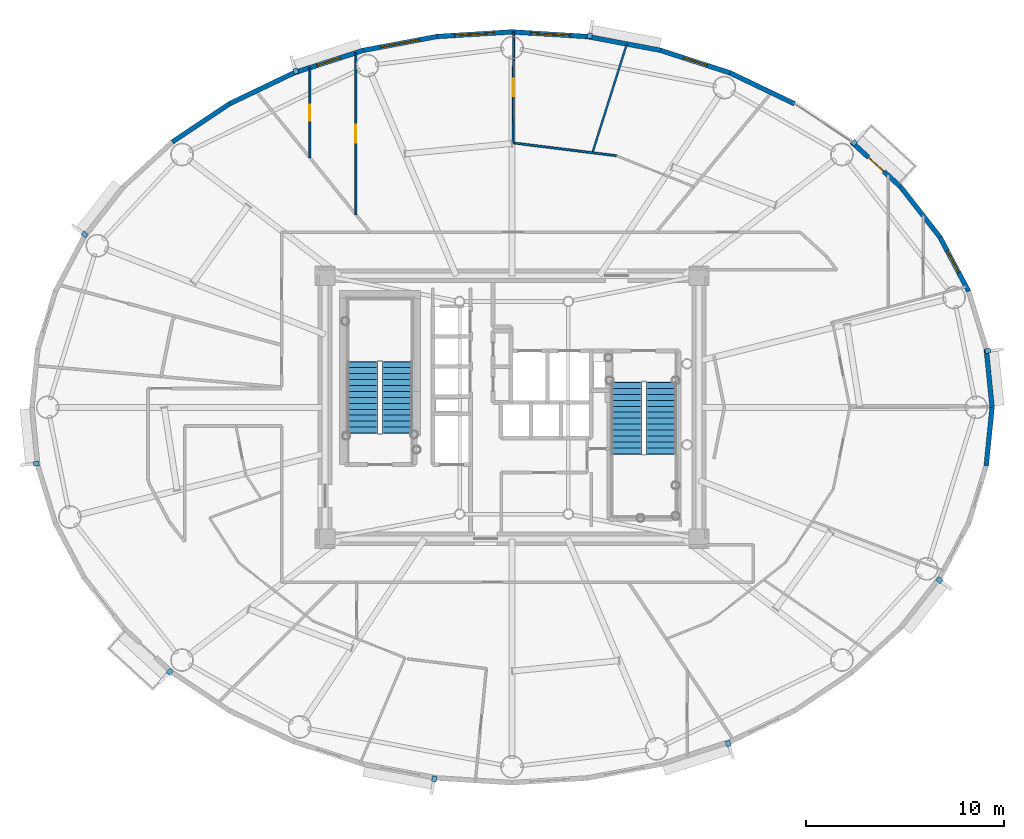
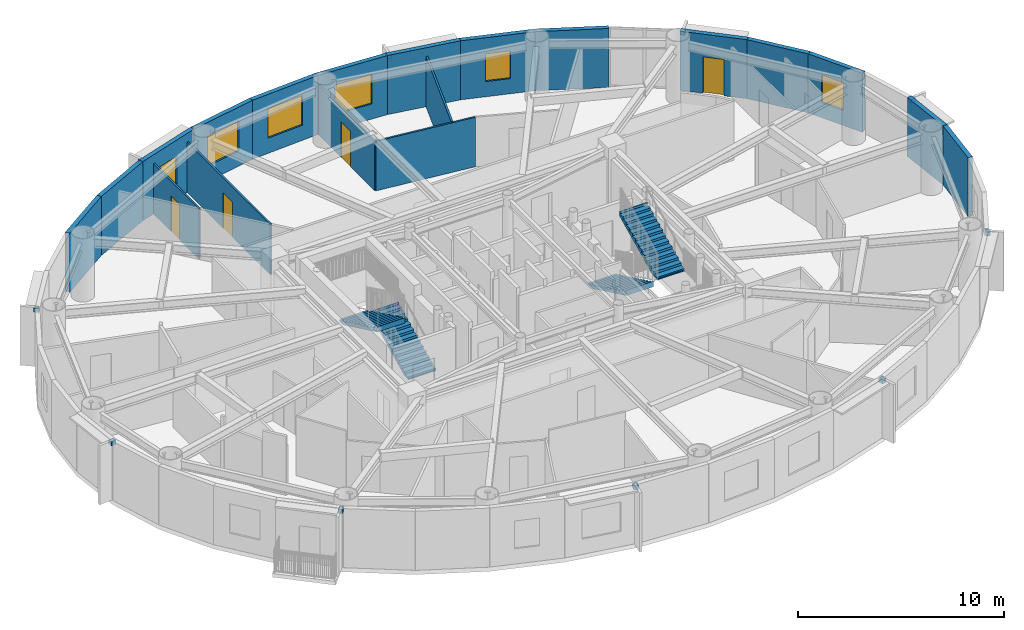
# One storey, part 12 of 19: 19 walls, 10 discrete accessories, 6 windows, 4 doors, 4 stair flights, 10 openings, 2 elements without a shape of their own.
"""IFC4 building model written with IfcOpenShell, lengths in metres."""

from ifc_helpers import new_model, si_unit, direction, frame, frame_2d, origin, origin_2d, place, context, subcontext, project, spatial, polyline, rectangle, outline, extrude, source, transform, mapped, material, layer, layer_set, type_object, element, fill, aggregate, save


model = new_model("IFC4")

# Units and contexts
model_context = context("Model", 3, precision=1e-05, world=origin(), true_north=direction((0.0, 1.0)))
body_context = subcontext(model_context, "Body", "Model", "MODEL_VIEW")
ifc_project = project(units=[si_unit("LENGTHUNIT", "METRE"), si_unit("AREAUNIT", "SQUARE_METRE"), si_unit("VOLUMEUNIT", "CUBIC_METRE"), si_unit("PLANEANGLEUNIT", "RADIAN"), si_unit("MASSUNIT", "GRAM", prefix="KILO")], contexts=[model_context])

# Site, building, storey
site_placement = place(None, origin())
site = spatial("IfcSite", under=ifc_project, at=site_placement, CompositionType="ELEMENT")
building_placement = place(site_placement, origin())
building = spatial("IfcBuilding", under=site, at=building_placement, Name="Linh Dai School and Residence Tower", CompositionType="ELEMENT")
storey_placement = place(building_placement, frame((0.0, 0.0, 247.800048828125)))
storey = spatial("IfcBuildingStorey", under=building, at=storey_placement, Name="L61", CompositionType="ELEMENT", Elevation=247.800048828125)

# Wall
ifc_material_1 = material(Name="Precast Concrete B45 (C35/45)", Category="concrete")
ifc_layer_1 = layer(ifc_material_1, 0.239990234375)
ifc_layer_set_1 = layer_set([ifc_layer_1], Name="Precast Concrete B45 (C35/45)")
wall_type_1 = type_object("IfcWallType", Name="EW-TC-240", PredefinedType="SOLIDWALL", material=ifc_layer_set_1)
wall_1_placement = place(storey_placement, frame((59.97705078125, 29.9638671875, 0.0), z_axis=(0.0, 0.0, 1.0), x_axis=(0.099990595253, -0.994988382274, 0.0)))
element("IfcWall", 1, at=wall_1_placement, inside=storey, type_object=wall_type_1, Name="L61 Terracotta Exterior Wall 01", PredefinedType="SOLIDWALL", context=body_context, shape_type="SweptSolid", body=[
    extrude(rectangle(XDim=2.978759765625, YDim=0.239990234375, at=frame_2d((1.4892578125, 0.0))), origin(), (0.0, 0.0, 1.0), 3.5),
])

# Wall, opening, window
wall_2_placement = place(storey_placement, frame((57.6357421875, 35.605224609375, 0.0), z_axis=(0.0, 0.0, 1.0), x_axis=(0.46766049993, -0.883908172157, 0.0)))
wall_2 = element("IfcWall", 2, at=wall_2_placement, inside=storey, type_object=wall_type_1, Name="L61 Terracotta Exterior Wall 03", PredefinedType="SOLIDWALL", context=body_context, shape_type="SweptSolid", body=[
    extrude(rectangle(XDim=3.1103515625, YDim=0.239990234375, at=frame_2d((1.55517578125, 0.0))), origin(), (0.0, 0.0, 1.0), 3.5),
])
opening_1_placement = place(wall_2_placement, frame((0.781982421875, 0.0, 0.89990234375)))
opening_1 = element("IfcOpeningElement", 3, at=opening_1_placement, cuts=wall_2, Name="Opening W3", PredefinedType="OPENING", context=body_context, shape_type="SweptSolid", body=[
    extrude(rectangle(XDim=1.25, YDim=1.64990234375, at=origin_2d()), frame((0.625, 0.1298828125, 0.824951171875), z_axis=(0.0, -1.0, 0.0), x_axis=(1.0, 0.0, 0.0)), (0.0, 0.0, 1.0), 0.260009765625),
])
ifc_material_2 = material(Name="Double Low-E Insulated Glazing", Category="glass")
window_type_1 = type_object("IfcWindowType", Name="WN-RES-1250x1650", PartitioningType="SINGLE_PANEL", PredefinedType="WINDOW", material=ifc_material_2)
shared_shape_1 = source(origin(), body_context, "Body", "SweptSolid", [
    extrude(rectangle(XDim=1.25, YDim=1.64990234375, at=origin_2d()), frame((0.625, 0.030029296875, 0.824951171875), z_axis=(0.0, -1.0, 0.0), x_axis=(1.0, 0.0, 0.0)), (0.0, 0.0, 1.0), 0.06005859375),
])
window_1_placement = place(opening_1_placement, origin())
window_1 = element("IfcWindow", 4, at=window_1_placement, inside=storey, type_object=window_type_1, Name="L61 Exterior Window 03.1", OverallHeight=1.64990234375, OverallWidth=1.25, PartitioningType="SINGLE_PANEL", PredefinedType="WINDOW", context=body_context, shape_type="MappedRepresentation", body=[
    mapped(shared_shape_1, transform((0.0, 0.0, 0.0), x_axis=(1.0, 0.0, 0.0), y_axis=(0.0, 1.0, 0.0), z_axis=(0.0, 0.0, 1.0), scale=1.0)),
])
fill(opening_1, window_1)

# Wall
wall_3_placement = place(storey_placement, frame((55.6484375, 38.14453125, 0.0), z_axis=(0.0, 0.0, 1.0), x_axis=(0.616312344705, -0.787501805562, 0.0)))
element("IfcWall", 5, at=wall_3_placement, inside=storey, type_object=wall_type_1, Name="L61 Terracotta Exterior Wall 04", PredefinedType="SOLIDWALL", context=body_context, shape_type="SweptSolid", body=[
    extrude(rectangle(XDim=3.224609375, YDim=0.239990234375, at=frame_2d((1.6123046875, 0.0))), origin(), (0.0, 0.0, 1.0), 3.5),
])

# Wall, opening, door
wall_4_placement = place(storey_placement, frame((53.17626953125, 40.410888671875, 0.0), z_axis=(0.0, 0.0, 1.0), x_axis=(0.737123922599, -0.675757591694, 0.0)))
wall_4 = element("IfcWall", 6, at=wall_4_placement, inside=storey, type_object=wall_type_1, Name="L61 Terracotta Exterior Wall 05", PredefinedType="SOLIDWALL", context=body_context, shape_type="SweptSolid", body=[
    extrude(rectangle(XDim=3.353759765625, YDim=0.239990234375, at=frame_2d((1.6767578125, 0.0))), origin(), (0.0, 0.0, 1.0), 3.5),
])
opening_2_placement = place(wall_4_placement, frame((1.15185546875, 0.0, 0.0)))
opening_2 = element("IfcOpeningElement", 7, at=opening_2_placement, cuts=wall_4, Name="Opening BD1", PredefinedType="OPENING", context=body_context, shape_type="SweptSolid", body=[
    extrude(rectangle(XDim=1.050048828125, YDim=2.14990234375, at=origin_2d()), frame((0.52490234375, 0.1298828125, 1.074951171875), z_axis=(0.0, -1.0, 0.0), x_axis=(1.0, 0.0, 0.0)), (0.0, 0.0, 1.0), 0.260009765625),
])
ifc_material_3 = material(Name="Double-Glazed Balcony Door", Category="glass")
door_type_1 = type_object("IfcDoorType", Name="DR-BALC-1050x2150", OperationType="NOTDEFINED", PredefinedType="DOOR", material=ifc_material_3)
shared_shape_2 = source(origin(), body_context, "Body", "SweptSolid", [
    extrude(rectangle(XDim=1.050048828125, YDim=2.14990234375, at=origin_2d()), frame((0.52490234375, 0.02490234375, 1.074951171875), z_axis=(0.0, -1.0, 0.0), x_axis=(1.0, 0.0, 0.0)), (0.0, 0.0, 1.0), 0.050048828125),
])
door_1_placement = place(opening_2_placement, origin())
door_1 = element("IfcDoor", 8, at=door_1_placement, inside=storey, type_object=door_type_1, Name="L61 Glazed Balcony Door 05", OperationType="SINGLE_SWING_LEFT", OverallHeight=2.14990234375, OverallWidth=1.050048828125, PredefinedType="DOOR", context=body_context, shape_type="MappedRepresentation", body=[
    mapped(shared_shape_2, transform((0.0, 0.0, 0.0), x_axis=(1.0, 0.0, 0.0), y_axis=(0.0, 1.0, 0.0), z_axis=(0.0, 0.0, 1.0), scale=1.0)),
])
fill(opening_2, door_1)

# Wall
wall_5_placement = place(storey_placement, frame((47.031005859375, 43.906494140625, 0.0), z_axis=(0.0, 0.0, 1.0), x_axis=(0.901598104751, -0.432574684313, 0.0)))
element("IfcWall", 9, at=wall_5_placement, inside=storey, type_object=wall_type_1, Name="L61 Terracotta Exterior Wall 07", PredefinedType="SOLIDWALL", context=body_context, shape_type="SweptSolid", body=[
    extrude(rectangle(XDim=3.603515625, YDim=0.239990234375, at=frame_2d((1.8017578125, 0.0))), origin(), (0.0, 0.0, 1.0), 3.5),
])

# Wall, opening, window
wall_6_placement = place(storey_placement, frame((43.50927734375, 45.048828125, 0.0), z_axis=(0.0, 0.0, 1.0), x_axis=(0.951210789182, -0.308541787354, 0.0)))
wall_6 = element("IfcWall", 10, at=wall_6_placement, inside=storey, type_object=wall_type_1, Name="L61 Terracotta Exterior Wall 08", PredefinedType="SOLIDWALL", context=body_context, shape_type="SweptSolid", body=[
    extrude(rectangle(XDim=3.702392578125, YDim=0.239990234375, at=frame_2d((1.85107421875, 0.0))), origin(), (0.0, 0.0, 1.0), 3.5),
])
opening_3_placement = place(wall_6_placement, frame((1.226318359375, 0.0, 0.89990234375)))
opening_3 = element("IfcOpeningElement", 11, at=opening_3_placement, cuts=wall_6, Name="Opening W3", PredefinedType="OPENING", context=body_context, shape_type="SweptSolid", body=[
    extrude(rectangle(XDim=1.25, YDim=1.64990234375, at=origin_2d()), frame((0.625, 0.1298828125, 0.824951171875), z_axis=(0.0, -1.0, 0.0), x_axis=(1.0, 0.0, 0.0)), (0.0, 0.0, 1.0), 0.260009765625),
])
window_2_placement = place(opening_3_placement, origin())
window_2 = element("IfcWindow", 12, at=window_2_placement, inside=storey, type_object=window_type_1, Name="L61 Dwelling Window U6104-BD1", OverallHeight=1.64990234375, OverallWidth=1.25, PartitioningType="SINGLE_PANEL", PredefinedType="WINDOW", context=body_context, shape_type="MappedRepresentation", body=[
    mapped(shared_shape_1, transform((0.0, 0.0, 0.0), x_axis=(1.0, 0.0, 0.0), y_axis=(0.0, 1.0, 0.0), z_axis=(0.0, 0.0, 1.0), scale=1.0)),
])
fill(opening_3, window_2)

# Wall
wall_7_placement = place(storey_placement, frame((39.801513671875, 45.745849609375, 0.0), z_axis=(0.0, 0.0, 1.0), x_axis=(0.982784898575, -0.184753465822, 0.0)))
element("IfcWall", 13, at=wall_7_placement, inside=storey, type_object=wall_type_1, Name="L61 Terracotta Exterior Wall 09", PredefinedType="SOLIDWALL", context=body_context, shape_type="SweptSolid", body=[
    extrude(rectangle(XDim=3.772705078125, YDim=0.239990234375, at=frame_2d((1.88623046875, 0.0))), origin(), (0.0, 0.0, 1.0), 3.5),
])

# Wall, opening, window
wall_8_placement = place(storey_placement, frame((36.0, 45.97998046875, 0.0), z_axis=(0.0, 0.0, 1.0), x_axis=(0.998108785312, -0.06147237333, 0.0)))
wall_8 = element("IfcWall", 14, at=wall_8_placement, inside=storey, type_object=wall_type_1, Name="L61 Terracotta Exterior Wall 10", PredefinedType="SOLIDWALL", context=body_context, shape_type="SweptSolid", body=[
    extrude(rectangle(XDim=3.808837890625, YDim=0.239990234375, at=frame_2d((1.904296875, 0.0))), origin(), (0.0, 0.0, 1.0), 3.5),
])
opening_4_placement = place(wall_8_placement, frame((0.945556640625, 0.0, 0.89990234375)))
opening_4 = element("IfcOpeningElement", 15, at=opening_4_placement, cuts=wall_8, Name="Opening W1", PredefinedType="OPENING", context=body_context, shape_type="SweptSolid", body=[
    extrude(rectangle(XDim=2.0, YDim=1.75, at=origin_2d()), frame((1.0, 0.1298828125, 0.875), z_axis=(0.0, -1.0, 0.0), x_axis=(1.0, 0.0, 0.0)), (0.0, 0.0, 1.0), 0.260009765625),
])
window_type_2 = type_object("IfcWindowType", Name="WN-RES-2000x1750", PartitioningType="DOUBLE_PANEL_VERTICAL", PredefinedType="WINDOW", material=ifc_material_2)
shared_shape_3 = source(origin(), body_context, "Body", "SweptSolid", [
    extrude(rectangle(XDim=2.0, YDim=1.75, at=origin_2d()), frame((1.0, 0.030029296875, 0.875), z_axis=(0.0, -1.0, 0.0), x_axis=(1.0, 0.0, 0.0)), (0.0, 0.0, 1.0), 0.06005859375),
])
window_3_placement = place(opening_4_placement, origin())
window_3 = element("IfcWindow", 16, at=window_3_placement, inside=storey, type_object=window_type_2, Name="L61 Exterior Window 10.1", OverallHeight=1.75, OverallWidth=2.0, PartitioningType="DOUBLE_PANEL_VERTICAL", PredefinedType="WINDOW", context=body_context, shape_type="MappedRepresentation", body=[
    mapped(shared_shape_3, transform((0.0, 0.0, 0.0), x_axis=(1.0, 0.0, 0.0), y_axis=(0.0, 1.0, 0.0), z_axis=(0.0, 0.0, 1.0), scale=1.0)),
])
fill(opening_4, window_3)

wall_9_placement = place(storey_placement, frame((32.198486328125, 45.745849609375, 0.0), z_axis=(0.0, 0.0, 1.0), x_axis=(0.998108785312, 0.06147237333, 0.0)))
wall_9 = element("IfcWall", 17, at=wall_9_placement, inside=storey, type_object=wall_type_1, Name="L61 Terracotta Exterior Wall 11", PredefinedType="SOLIDWALL", context=body_context, shape_type="SweptSolid", body=[
    extrude(rectangle(XDim=3.808837890625, YDim=0.239990234375, at=frame_2d((1.904296875, 0.0))), origin(), (0.0, 0.0, 1.0), 3.5),
])
opening_5_placement = place(wall_9_placement, frame((0.904541015625, 0.0, 0.89990234375)))
opening_5 = element("IfcOpeningElement", 18, at=opening_5_placement, cuts=wall_9, Name="Opening W1", PredefinedType="OPENING", context=body_context, shape_type="SweptSolid", body=[
    extrude(rectangle(XDim=2.0, YDim=1.75, at=origin_2d()), frame((1.0, 0.1298828125, 0.875), z_axis=(0.0, -1.0, 0.0), x_axis=(1.0, 0.0, 0.0)), (0.0, 0.0, 1.0), 0.260009765625),
])
window_4_placement = place(opening_5_placement, origin())
window_4 = element("IfcWindow", 19, at=window_4_placement, inside=storey, type_object=window_type_2, Name="L61 Exterior Window 11.1", OverallHeight=1.75, OverallWidth=2.0, PartitioningType="DOUBLE_PANEL_VERTICAL", PredefinedType="WINDOW", context=body_context, shape_type="MappedRepresentation", body=[
    mapped(shared_shape_3, transform((0.0, 0.0, 0.0), x_axis=(1.0, 0.0, 0.0), y_axis=(0.0, 1.0, 0.0), z_axis=(0.0, 0.0, 1.0), scale=1.0)),
])
fill(opening_5, window_4)

wall_10_placement = place(storey_placement, frame((28.49072265625, 45.048828125, 0.0), z_axis=(0.0, 0.0, 1.0), x_axis=(0.982784898575, 0.184753465822, 0.0)))
wall_10 = element("IfcWall", 20, at=wall_10_placement, inside=storey, type_object=wall_type_1, Name="L61 Terracotta Exterior Wall 12", PredefinedType="SOLIDWALL", context=body_context, shape_type="SweptSolid", body=[
    extrude(rectangle(XDim=3.772705078125, YDim=0.239990234375, at=frame_2d((1.88623046875, 0.0))), origin(), (0.0, 0.0, 1.0), 3.5),
])
opening_6_placement = place(wall_10_placement, frame((0.88623046875, 0.0, 0.89990234375)))
opening_6 = element("IfcOpeningElement", 21, at=opening_6_placement, cuts=wall_10, Name="Opening W1", PredefinedType="OPENING", context=body_context, shape_type="SweptSolid", body=[
    extrude(rectangle(XDim=2.0, YDim=1.75, at=origin_2d()), frame((1.0, 0.1298828125, 0.875), z_axis=(0.0, -1.0, 0.0), x_axis=(1.0, 0.0, 0.0)), (0.0, 0.0, 1.0), 0.260009765625),
])
window_5_placement = place(opening_6_placement, origin())
window_5 = element("IfcWindow", 22, at=window_5_placement, inside=storey, type_object=window_type_2, Name="L61 Exterior Window 12.1", OverallHeight=1.75, OverallWidth=2.0, PartitioningType="DOUBLE_PANEL_VERTICAL", PredefinedType="WINDOW", context=body_context, shape_type="MappedRepresentation", body=[
    mapped(shared_shape_3, transform((0.0, 0.0, 0.0), x_axis=(1.0, 0.0, 0.0), y_axis=(0.0, 1.0, 0.0), z_axis=(0.0, 0.0, 1.0), scale=1.0)),
])
fill(opening_6, window_5)

wall_11_placement = place(storey_placement, frame((24.968994140625, 43.906494140625, 0.0), z_axis=(0.0, 0.0, 1.0), x_axis=(0.951210789182, 0.308541787354, 0.0)))
wall_11 = element("IfcWall", 23, at=wall_11_placement, inside=storey, type_object=wall_type_1, Name="L61 Terracotta Exterior Wall 13", PredefinedType="SOLIDWALL", context=body_context, shape_type="SweptSolid", body=[
    extrude(rectangle(XDim=3.702392578125, YDim=0.239990234375, at=frame_2d((1.85107421875, 0.0))), origin(), (0.0, 0.0, 1.0), 3.5),
])
opening_7_placement = place(wall_11_placement, frame((1.223388671875, 0.0, 0.89990234375)))
opening_7 = element("IfcOpeningElement", 24, at=opening_7_placement, cuts=wall_11, Name="Opening W3", PredefinedType="OPENING", context=body_context, shape_type="SweptSolid", body=[
    extrude(rectangle(XDim=1.25, YDim=1.64990234375, at=origin_2d()), frame((0.625, 0.1298828125, 0.824951171875), z_axis=(0.0, -1.0, 0.0), x_axis=(1.0, 0.0, 0.0)), (0.0, 0.0, 1.0), 0.260009765625),
])
window_6_placement = place(opening_7_placement, origin())
window_6 = element("IfcWindow", 25, at=window_6_placement, inside=storey, type_object=window_type_1, Name="L61 Exterior Window 13.1", OverallHeight=1.64990234375, OverallWidth=1.25, PartitioningType="SINGLE_PANEL", PredefinedType="WINDOW", context=body_context, shape_type="MappedRepresentation", body=[
    mapped(shared_shape_1, transform((0.0, 0.0, 0.0), x_axis=(1.0, 0.0, 0.0), y_axis=(0.0, 1.0, 0.0), z_axis=(0.0, 0.0, 1.0), scale=1.0)),
])
fill(opening_7, window_6)

# Walls
wall_12_placement = place(storey_placement, frame((21.719970703125, 42.34765625, 0.0), z_axis=(0.0, 0.0, 1.0), x_axis=(0.901598104751, 0.432574684313, 0.0)))
element("IfcWall", 26, at=wall_12_placement, inside=storey, type_object=wall_type_1, Name="L61 Terracotta Exterior Wall 14", PredefinedType="SOLIDWALL", context=body_context, shape_type="SweptSolid", body=[
    extrude(rectangle(XDim=3.603515625, YDim=0.239990234375, at=frame_2d((1.8017578125, 0.0))), origin(), (0.0, 0.0, 1.0), 3.5),
])
wall_13_placement = place(storey_placement, frame((18.82373046875, 40.410888671875, 0.0), z_axis=(0.0, 0.0, 1.0), x_axis=(0.831262496074, 0.555880079352, 0.0)))
element("IfcWall", 27, at=wall_13_placement, inside=storey, type_object=wall_type_1, Name="L61 Terracotta Exterior Wall 15", PredefinedType="SOLIDWALL", context=body_context, shape_type="SweptSolid", body=[
    extrude(rectangle(XDim=3.484130859375, YDim=0.239990234375, at=frame_2d((1.7421875, 0.0))), origin(), (0.0, 0.0, 1.0), 3.5),
])
wall_14_placement = place(storey_placement, frame((60.27490234375, 27.0, 0.0), z_axis=(0.0, 0.0, 1.0), x_axis=(-0.099990595253, -0.994988382274, 0.0)))
element("IfcWall", 28, at=wall_14_placement, inside=storey, type_object=wall_type_1, Name="L61 Terracotta Exterior Wall 40", PredefinedType="SOLIDWALL", context=body_context, shape_type="SweptSolid", body=[
    extrude(rectangle(XDim=2.978759765625, YDim=0.239990234375, at=frame_2d((1.4892578125, 0.0))), origin(), (0.0, 0.0, 1.0), 3.5),
])

# Wall, opening, door
ifc_material_4 = material(Name="Gypsum Plasterboard Acoustic Stud Partition", Category="masonry")
ifc_layer_2 = layer(ifc_material_4, 0.10009765625)
ifc_layer_set_2 = layer_set([ifc_layer_2], Name="Gypsum Plasterboard Acoustic Stud Partition")
wall_type_2 = type_object("IfcWallType", Name="IW-UNIT-100", PredefinedType="PARTITIONING", material=ifc_layer_set_2)
wall_15_placement = place(storey_placement, frame((25.78173828125, 39.61865234375, 0.0), z_axis=(0.0, 0.0, 1.0), x_axis=(0.0, 1.0, 0.0)))
wall_15 = element("IfcWall", 29, at=wall_15_placement, inside=storey, type_object=wall_type_2, Name="L61 Interior Partition Wall 023", PredefinedType="PARTITIONING", context=body_context, shape_type="SweptSolid", body=[
    extrude(rectangle(XDim=4.556640625, YDim=0.10009765625, at=frame_2d((2.2783203125, 0.0))), origin(), (0.0, 0.0, 1.0), 2.98486328125),
])
opening_8_placement = place(wall_15_placement, frame((1.868408203125, 0.0, 0.0)))
opening_8 = element("IfcOpeningElement", 30, at=opening_8_placement, cuts=wall_15, Name="Opening D06", PredefinedType="OPENING", context=body_context, shape_type="SweptSolid", body=[
    extrude(rectangle(XDim=0.820068359375, YDim=2.10009765625, at=origin_2d()), frame((0.41015625, 0.06005859375, 1.050048828125), z_axis=(0.0, -1.0, 0.0), x_axis=(1.0, 0.0, 0.0)), (0.0, 0.0, 1.0), 0.1201171875),
])
ifc_material_5 = material(Name="Moisture-Resistant Timber Bathroom Door", Category="wood")
door_type_2 = type_object("IfcDoorType", Name="DR-WET-820x2100", OperationType="NOTDEFINED", PredefinedType="DOOR", material=ifc_material_5)
shared_shape_4 = source(origin(), body_context, "Body", "SweptSolid", [
    extrude(rectangle(XDim=0.820068359375, YDim=2.10009765625, at=origin_2d()), frame((0.41015625, 0.02490234375, 1.050048828125), z_axis=(0.0, -1.0, 0.0), x_axis=(1.0, 0.0, 0.0)), (0.0, 0.0, 1.0), 0.050048828125),
])
door_2_placement = place(opening_8_placement, origin())
door_2 = element("IfcDoor", 31, at=door_2_placement, inside=storey, type_object=door_type_2, Name="L61 Apartment U6104 Bathroom 1 Door", OperationType="SINGLE_SWING_RIGHT", OverallHeight=2.10009765625, OverallWidth=0.820068359375, PredefinedType="DOOR", context=body_context, shape_type="MappedRepresentation", body=[
    mapped(shared_shape_4, transform((0.0, 0.0, 0.0), x_axis=(1.0, 0.0, 0.0), y_axis=(0.0, 1.0, 0.0), z_axis=(0.0, 0.0, 1.0), scale=1.0)),
])
fill(opening_8, door_2)

wall_16_placement = place(storey_placement, frame((28.111328125, 36.74169921875, 0.0), z_axis=(0.0, 0.0, 1.0), x_axis=(0.0, 1.0, 0.0)))
wall_16 = element("IfcWall", 32, at=wall_16_placement, inside=storey, type_object=wall_type_2, Name="L61 Interior Partition Wall 026", PredefinedType="PARTITIONING", context=body_context, shape_type="SweptSolid", body=[
    extrude(rectangle(XDim=8.189208984375, YDim=0.10009765625, at=frame_2d((4.0947265625, 0.0))), origin(), (0.0, 0.0, 1.0), 2.98486328125),
])
opening_9_placement = place(wall_16_placement, frame((3.644775390625, 0.0, 0.0)))
opening_9 = element("IfcOpeningElement", 33, at=opening_9_placement, cuts=wall_16, Name="Opening D05", PredefinedType="OPENING", context=body_context, shape_type="SweptSolid", body=[
    extrude(rectangle(XDim=0.89990234375, YDim=2.10009765625, at=origin_2d()), frame((0.449951171875, 0.06005859375, 1.050048828125), z_axis=(0.0, -1.0, 0.0), x_axis=(1.0, 0.0, 0.0)), (0.0, 0.0, 1.0), 0.1201171875),
])
ifc_material_6 = material(Name="Engineered Timber Internal Door", Category="wood")
door_type_3 = type_object("IfcDoorType", Name="DR-INT-900x2100", OperationType="NOTDEFINED", PredefinedType="DOOR", material=ifc_material_6)
shared_shape_5 = source(origin(), body_context, "Body", "SweptSolid", [
    extrude(rectangle(XDim=0.89990234375, YDim=2.10009765625, at=origin_2d()), frame((0.449951171875, 0.02490234375, 1.050048828125), z_axis=(0.0, -1.0, 0.0), x_axis=(1.0, 0.0, 0.0)), (0.0, 0.0, 1.0), 0.050048828125),
])
door_3_placement = place(opening_9_placement, origin())
door_3 = element("IfcDoor", 34, at=door_3_placement, inside=storey, type_object=door_type_3, Name="L61 Apartment U6104 Kitchen Door", OperationType="SINGLE_SWING_LEFT", OverallHeight=2.10009765625, OverallWidth=0.89990234375, PredefinedType="DOOR", context=body_context, shape_type="MappedRepresentation", body=[
    mapped(shared_shape_5, transform((0.0, 0.0, 0.0), x_axis=(1.0, 0.0, 0.0), y_axis=(0.0, 1.0, 0.0), z_axis=(0.0, 0.0, 1.0), scale=1.0)),
])
fill(opening_9, door_3)

wall_17_placement = place(storey_placement, frame((36.058349609375, 40.3662109375, 0.0), z_axis=(0.0, 0.0, 1.0), x_axis=(0.004348919472, 0.999990543405, 0.0)))
wall_17 = element("IfcWall", 35, at=wall_17_placement, inside=storey, type_object=wall_type_2, Name="L61 Interior Partition Wall 051", PredefinedType="PARTITIONING", context=body_context, shape_type="SweptSolid", body=[
    extrude(rectangle(XDim=5.61376953125, YDim=0.10009765625, at=frame_2d((2.806884765625, 0.0))), origin(), (0.0, 0.0, 1.0), 2.93505859375),
])
opening_10_placement = place(wall_17_placement, frame((2.356689453125, 0.0, 0.0)))
opening_10 = element("IfcOpeningElement", 36, at=opening_10_placement, cuts=wall_17, Name="Opening D05", PredefinedType="OPENING", context=body_context, shape_type="SweptSolid", body=[
    extrude(rectangle(XDim=0.89990234375, YDim=2.10009765625, at=origin_2d()), frame((0.449951171875, 0.06005859375, 1.050048828125), z_axis=(0.0, -1.0, 0.0), x_axis=(1.0, 0.0, 0.0)), (0.0, 0.0, 1.0), 0.1201171875),
])
door_4_placement = place(opening_10_placement, origin())
door_4 = element("IfcDoor", 37, at=door_4_placement, inside=storey, type_object=door_type_3, Name="L61 Apartment U6104 Study Door", OperationType="SINGLE_SWING_RIGHT", OverallHeight=2.10009765625, OverallWidth=0.89990234375, PredefinedType="DOOR", context=body_context, shape_type="MappedRepresentation", body=[
    mapped(shared_shape_5, transform((0.0, 0.0, 0.0), x_axis=(1.0, 0.0, 0.0), y_axis=(0.0, 1.0, 0.0), z_axis=(0.0, 0.0, 1.0), scale=1.0)),
])
fill(opening_10, door_4)

# Walls
wall_18_placement = place(storey_placement, frame((36.058349609375, 40.3662109375, 0.0), z_axis=(0.0, 0.0, 1.0), x_axis=(0.9924002173, -0.123052056879, 0.0)))
element("IfcWall", 38, at=wall_18_placement, inside=storey, type_object=wall_type_2, Name="L61 Interior Partition Wall 052", PredefinedType="PARTITIONING", context=body_context, shape_type="SweptSolid", body=[
    extrude(rectangle(XDim=5.259765625, YDim=0.10009765625, at=frame_2d((2.6298828125, 0.0))), origin(), (0.0, 0.0, 1.0), 2.93505859375),
])
wall_19_placement = place(storey_placement, frame((40.06787109375, 39.868896484375, 0.0), z_axis=(0.0, 0.0, 1.0), x_axis=(0.301434937635, 0.953486747875, 0.0)))
element("IfcWall", 39, at=wall_19_placement, inside=storey, type_object=wall_type_2, Name="L61 Interior Partition Wall 060", PredefinedType="PARTITIONING", context=body_context, shape_type="SweptSolid", body=[
    extrude(rectangle(XDim=5.773193359375, YDim=0.10009765625, at=frame_2d((2.88671875, 0.0))), origin(), (0.0, 0.0, 1.0), 2.98486328125),
])

# Stair, stair flights
ifc_material_7 = material(Name="Concrete B45 (C35/45)", Category="concrete")
stair_type = type_object("IfcStairType", Name="ST-DOG-1550-R1442", PredefinedType="HALF_TURN_STAIR", material=ifc_material_7)
stair_1_placement = place(storey_placement, origin())
stair_1 = element("IfcStair", 40, at=stair_1_placement, inside=storey, type_object=stair_type, Name="L61 Core Smokeproof Exit Stair ST1", PredefinedType="HALF_TURN_STAIR")
stair_flight_type = type_object("IfcStairFlightType", Name="STF-STR-1550-R1442", PredefinedType="STRAIGHT", material=ifc_material_7)
shared_shape_6 = source(origin(), body_context, "Body", "SweptSolid", [
    extrude(outline(polyline([(-0.02490234375, 0.0), (-0.02490234375, 0.06005859375), (0.0, 0.06005859375), (0.0, 0.144287109375), (0.300048828125, 0.144287109375), (0.300048828125, 0.28857421875), (0.60009765625, 0.28857421875), (0.60009765625, 0.4326171875), (0.89990234375, 0.4326171875), (0.89990234375, 0.576904296875), (1.199951171875, 0.576904296875), (1.199951171875, 0.72119140625), (1.5, 0.72119140625), (1.5, 0.865478515625), (1.800048828125, 0.865478515625), (1.800048828125, 1.009521484375), (2.10009765625, 1.009521484375), (2.10009765625, 1.15380859375), (2.39990234375, 1.15380859375), (2.39990234375, 1.298095703125), (2.699951171875, 1.298095703125), (2.699951171875, 1.4423828125), (3.0, 1.4423828125), (3.0, 1.58642578125), (3.300048828125, 1.58642578125), (3.300048828125, 1.730712890625), (3.60009765625, 1.730712890625), (3.60009765625, 1.875), (3.625, 1.875), (3.625, 1.564453125), (3.60009765625, 1.564453125), (0.345947265625, 0.0), (-0.02490234375, 0.0)])), frame((0.0, 0.77490234375, 0.0), z_axis=(0.0, -1.0, 0.0), x_axis=(1.0, 0.0, 0.0)), (0.0, 0.0, 1.0), 1.550048828125),
])
stair_flight_1_placement = place(storey_placement, frame((30.205078125, 25.699951171875, 0.0), z_axis=(0.0, 0.0, 1.0), x_axis=(0.0, 1.0, 0.0)))
stair_flight_1 = element("IfcStairFlight", 41, at=stair_flight_1_placement, type_object=stair_flight_type, Name="ST1 flight 1", NumberOfRisers=13, NumberOfTreads=12, PredefinedType="STRAIGHT", RiserHeight=0.144230769, TreadLength=0.3, context=body_context, shape_type="MappedRepresentation", body=[
    mapped(shared_shape_6, transform((0.0, 0.0, 0.0), x_axis=(1.0, 0.0, 0.0), y_axis=(0.0, 1.0, 0.0), z_axis=(0.0, 0.0, 1.0), scale=1.0)),
])
stair_flight_2_placement = place(storey_placement, frame((28.455078125, 29.300048828125, 1.875), z_axis=(0.0, 0.0, 1.0), x_axis=(0.0, -1.0, 0.0)))
stair_flight_2 = element("IfcStairFlight", 42, at=stair_flight_2_placement, type_object=stair_flight_type, Name="ST1 flight 2", NumberOfRisers=13, NumberOfTreads=12, PredefinedType="STRAIGHT", RiserHeight=0.144230769, TreadLength=0.3, context=body_context, shape_type="MappedRepresentation", body=[
    mapped(shared_shape_6, transform((0.0, 0.0, 0.0), x_axis=(1.0, 0.0, 0.0), y_axis=(0.0, 1.0, 0.0), z_axis=(0.0, 0.0, 1.0), scale=1.0)),
])
aggregate(stair_1, [stair_flight_1, stair_flight_2])

stair_2_placement = place(storey_placement, origin())
stair_2 = element("IfcStair", 43, at=stair_2_placement, inside=storey, type_object=stair_type, Name="L61 Core Smokeproof Exit Stair ST2", PredefinedType="HALF_TURN_STAIR")
stair_flight_3_placement = place(storey_placement, frame((41.794921875, 28.25, 0.0), z_axis=(0.0, 0.0, 1.0), x_axis=(0.0, -1.0, 0.0)))
stair_flight_3 = element("IfcStairFlight", 44, at=stair_flight_3_placement, type_object=stair_flight_type, Name="ST2 flight 1", NumberOfRisers=13, NumberOfTreads=12, PredefinedType="STRAIGHT", RiserHeight=0.144230769, TreadLength=0.3, context=body_context, shape_type="MappedRepresentation", body=[
    mapped(shared_shape_6, transform((0.0, 0.0, 0.0), x_axis=(1.0, 0.0, 0.0), y_axis=(0.0, 1.0, 0.0), z_axis=(0.0, 0.0, 1.0), scale=1.0)),
])
stair_flight_4_placement = place(storey_placement, frame((43.544921875, 24.64990234375, 1.875), z_axis=(0.0, 0.0, 1.0), x_axis=(0.0, 1.0, 0.0)))
stair_flight_4 = element("IfcStairFlight", 45, at=stair_flight_4_placement, type_object=stair_flight_type, Name="ST2 flight 2", NumberOfRisers=13, NumberOfTreads=12, PredefinedType="STRAIGHT", RiserHeight=0.144230769, TreadLength=0.3, context=body_context, shape_type="MappedRepresentation", body=[
    mapped(shared_shape_6, transform((0.0, 0.0, 0.0), x_axis=(1.0, 0.0, 0.0), y_axis=(0.0, 1.0, 0.0), z_axis=(0.0, 0.0, 1.0), scale=1.0)),
])
aggregate(stair_2, [stair_flight_3, stair_flight_4])

# Discrete accessories
ifc_material_8 = material(Name="Structural Steel S355JR", Category="steel")
discrete_accessory_type = type_object("IfcDiscreteAccessoryType", Name="ACC-BRK-S355", PredefinedType="BRACKET", material=ifc_material_8)
shared_shape_7 = source(origin(), body_context, "Body", "SweptSolid", [
    extrude(rectangle(XDim=0.280029296875, YDim=0.239990234375, at=origin_2d()), origin(), (0.0, 0.0, 1.0), 0.219970703125),
])
for number, where, z_axis, x_axis, name in (
    (46, (60.048828125, 29.8505859375, 3.25), (0.0, 0.0, 1.0), (0.99498620644, 0.100012244219, 0.0), "L61 Facade Frame Anchor Bracket 01"),
    (47, (53.305419921875, 40.3740234375, 3.25), (0.0, 0.0, 1.0), (0.675757574408, 0.737123938446, 0.0), "L61 Facade Frame Anchor Bracket 05"),
    (48, (39.9306640625, 45.782470703125, 3.25), (0.0, 0.0, 1.0), (0.18474448537, 0.982786586765, 0.0), "L61 Facade Frame Anchor Bracket 09"),
    (49, (25.064697265625, 44.000732421875, 3.25), (0.0, 0.0, 1.0), (-0.308501065272, 0.951223997135, 0.0), "L61 Facade Frame Anchor Bracket 13"),
    (50, (14.390869140625, 35.73681640625, 3.25), (0.0, 0.0, 1.0), (-0.787486677066, 0.616331674867, 0.0), "L61 Facade Frame Anchor Bracket 17"),
    (51, (11.951171875, 24.1494140625, 3.25), (0.0, 0.0, 1.0), (-0.99498620644, -0.100012244219, 0.0), "L61 Facade Frame Anchor Bracket 21"),
    (52, (18.694580078125, 13.6259765625, 3.25), (0.0, 0.0, 1.0), (-0.675756089102, -0.737125300096, 0.0), "L61 Facade Frame Anchor Bracket 25"),
    (53, (32.0693359375, 8.217529296875, 3.25), (0.0, 0.0, 1.0), (-0.18474448537, -0.982786586765, 0.0), "L61 Facade Frame Anchor Bracket 29"),
    (54, (46.935302734375, 9.999267578125, 3.25), (0.0, 0.0, 1.0), (0.308501065272, -0.951223997135, 0.0), "L61 Facade Frame Anchor Bracket 33"),
    (55, (57.609130859375, 18.26318359375, 3.25), (0.0, 0.0, 1.0), (0.787485171888, -0.616333598027, 0.0), "L61 Facade Frame Anchor Bracket 37"),
):
    element("IfcDiscreteAccessory", number, at=place(storey_placement, frame(where, z_axis=z_axis, x_axis=x_axis)), inside=storey, type_object=discrete_accessory_type, Name=name, PredefinedType="BRACKET", context=body_context, shape_type="MappedRepresentation", body=[
        mapped(shared_shape_7, transform((0.0, 0.0, 0.0), x_axis=(1.0, 0.0, 0.0), y_axis=(0.0, 1.0, 0.0), z_axis=(0.0, 0.0, 1.0), scale=1.0)),
    ])

save(model, "model.ifc")
